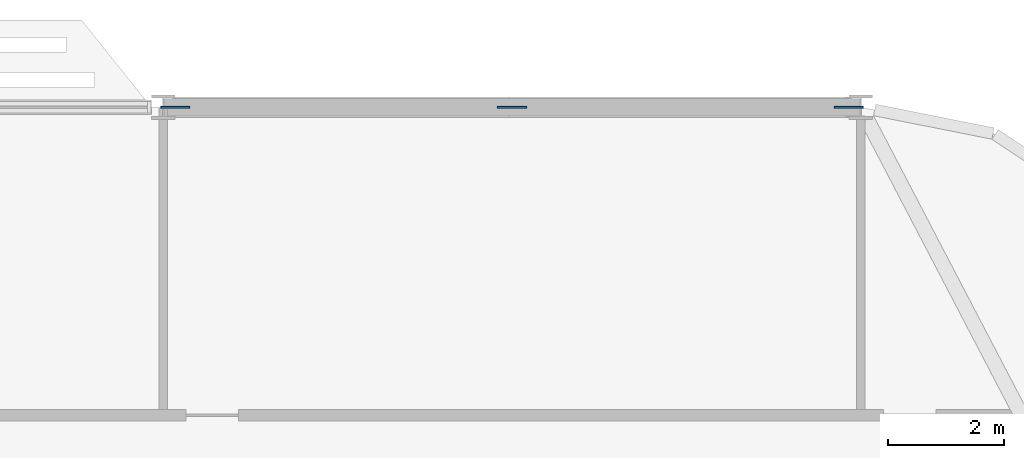
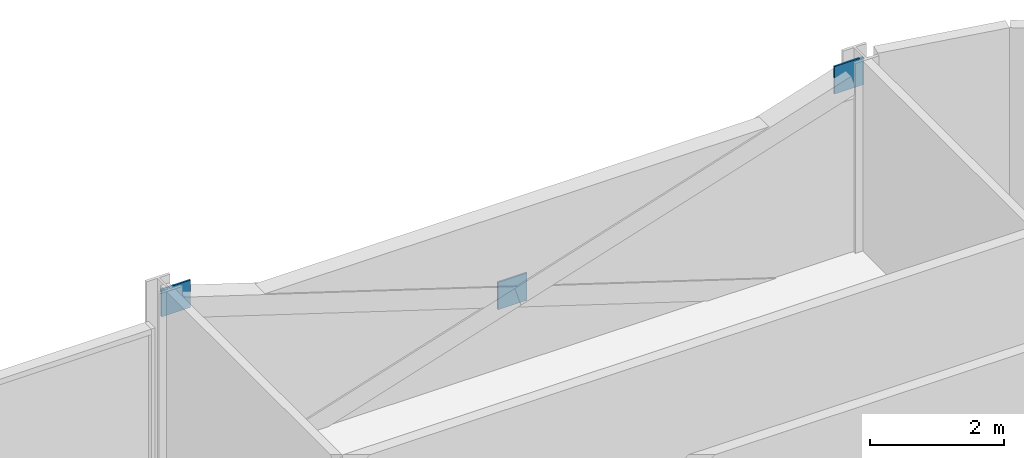
# One storey, part 21 of 27: 3 discrete accessories.
"""IFC4 building model written with IfcOpenShell, lengths in metres."""

from ifc_helpers import new_model, si_unit, direction, frame, origin, origin_2d, place, context, subcontext, project, spatial, rectangle, extrude, material, layer, layer_set, type_object, element, save


model = new_model("IFC4")

# Units and contexts
model_context = context("Model", 3, precision=1e-05, world=origin(), true_north=direction((0.0, 1.0)))
body_context = subcontext(model_context, "Body", "Model", "MODEL_VIEW")
ifc_project = project(units=[si_unit("LENGTHUNIT", "METRE"), si_unit("AREAUNIT", "SQUARE_METRE"), si_unit("VOLUMEUNIT", "CUBIC_METRE"), si_unit("PLANEANGLEUNIT", "RADIAN"), si_unit("MASSUNIT", "GRAM", prefix="KILO")], contexts=[model_context])

# Site, building, storey
site_placement = place(None, origin())
site = spatial("IfcSite", under=ifc_project, at=site_placement, CompositionType="ELEMENT")
building_placement = place(site_placement, origin())
building = spatial("IfcBuilding", under=site, at=building_placement, Name="Mahtab Terrace Research Tower", CompositionType="ELEMENT")
storey_placement = place(building_placement, frame((0.0, 0.0, 166.800048828125)))
storey = spatial("IfcBuildingStorey", under=building, at=storey_placement, Name="L39", CompositionType="ELEMENT", Elevation=166.800048828125)

# Discrete accessories
ifc_material = material(Name="Steel ASTM A992 Gr 50", Category="steel")
ifc_layer = layer(ifc_material, 0.030029296875)
ifc_layer_set = layer_set([ifc_layer], Name="Gusset plate 500x500x30")
discrete_accessory_type = type_object("IfcDiscreteAccessoryType", Name="Gusset plate 500x500x30", PredefinedType="USERDEFINED", material=ifc_layer_set)
for number, where, z_axis, x_axis, name in (
    (1, (30.203125, 23.0, 2.870849609375), (0.0, 0.0, 1.0), (1.0, 0.0, 0.0), "Gusset plate"),
    (2, (36.0, 23.0, 0.970947265625), (0.0, 0.0, 1.0), (1.0, 0.0, 0.0), "Gusset plate"),
    (3, (41.796875, 23.0, 2.870849609375), (0.0, 0.0, 1.0), (1.0, 0.0, 0.0), "Gusset plate"),
):
    element("IfcDiscreteAccessory", number, at=place(storey_placement, frame(where, z_axis=z_axis, x_axis=x_axis)), inside=storey, type_object=discrete_accessory_type, Name=name, ObjectType="GUSSET PLATE", PredefinedType="USERDEFINED", context=body_context, shape_type="SweptSolid", body=[
        extrude(rectangle(XDim=0.5, YDim=0.030029296875, at=origin_2d()), origin(), (0.0, 0.0, 1.0), 0.5),
    ])

save(model, "model.ifc")
